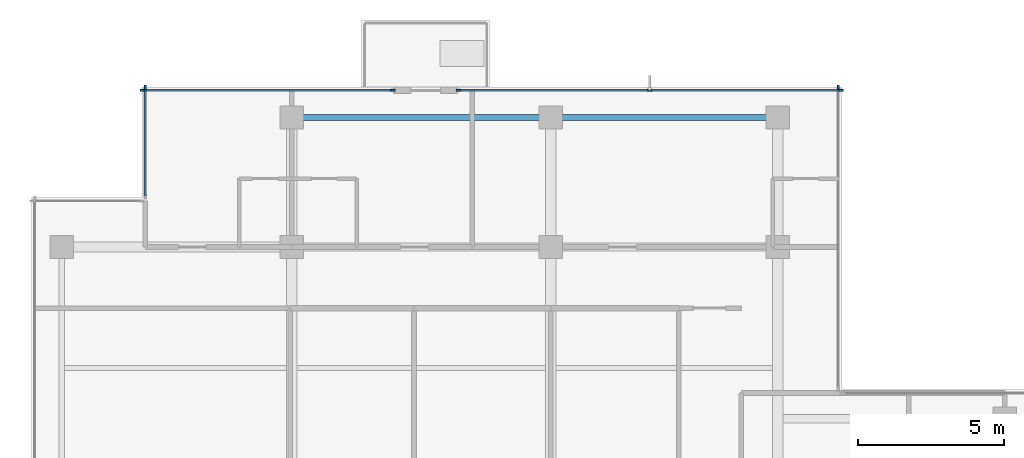
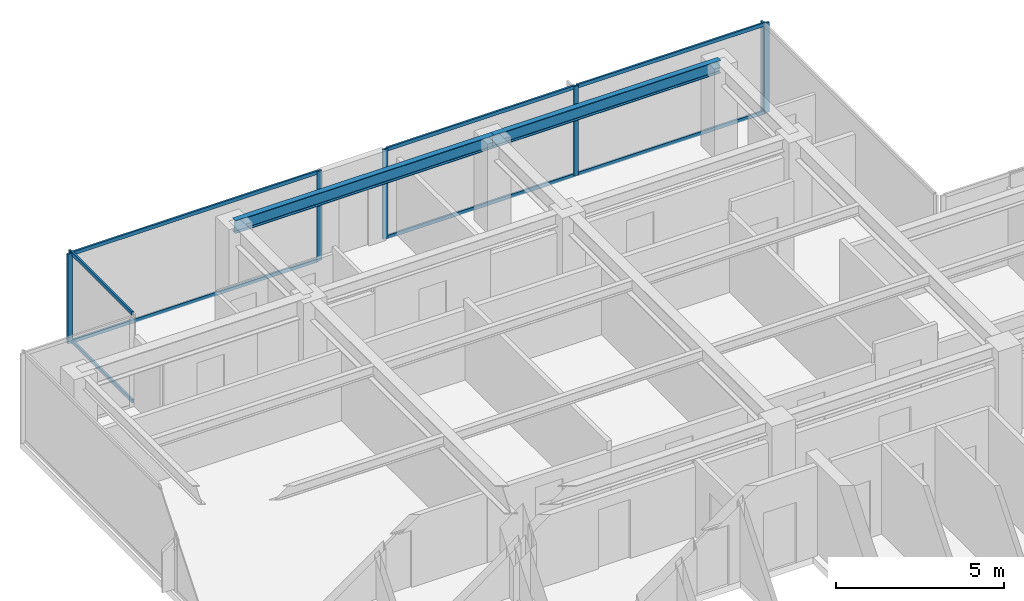
# One storey, part 4 of 11: 15 members, 2 beams, 4 elements without a shape of their own.
"""IFC4 building model written with IfcOpenShell, lengths in metres."""

from ifc_helpers import new_model, si_unit, direction, frame, origin, origin_2d, place, context, subcontext, project, spatial, rectangle, i_section, extrude, material, layer, layer_set, material_profile, profile_set, type_object, element, aggregate, save


model = new_model("IFC4")

# Units and contexts
model_context = context("Model", 3, precision=1e-05, world=origin(), true_north=direction((0.0, 1.0)))
body_context = subcontext(model_context, "Body", "Model", "MODEL_VIEW")
ifc_project = project(units=[si_unit("LENGTHUNIT", "METRE"), si_unit("AREAUNIT", "SQUARE_METRE"), si_unit("VOLUMEUNIT", "CUBIC_METRE"), si_unit("PLANEANGLEUNIT", "RADIAN"), si_unit("MASSUNIT", "GRAM", prefix="KILO")], contexts=[model_context])

# Site, building, storey
site_placement = place(None, origin())
site = spatial("IfcSite", under=ifc_project, at=site_placement, CompositionType="ELEMENT")
building_placement = place(site_placement, origin())
building = spatial("IfcBuilding", under=site, at=building_placement, Name="Qalmaran Belvedere Hotel", CompositionType="ELEMENT")
storey_placement = place(building_placement, frame((0.0, 0.0, 256.39990234375)))
storey = spatial("IfcBuildingStorey", under=building, at=storey_placement, Name="L66", CompositionType="ELEMENT", Elevation=256.39990234375)

# Beams
ifc_material_1 = material(Name="Steel S355JR", Category="steel")
ifc_material_profile_1 = material_profile(ifc_material_1, i_section(OverallWidth=0.19189453125, OverallDepth=0.462890625, WebThickness=0.010498046875, FlangeThickness=0.017578125, FilletRadius=0.01611328125, at=origin_2d()), Name="W460X89")
ifc_profile_set_1 = profile_set([ifc_material_profile_1], Name="Steel S355JR")
beam_type = type_object("IfcBeamType", Name="BM-SP2-W460X89", PredefinedType="SPANDREL", material=ifc_profile_set_1)
beam_1_placement = place(storey_placement, frame((20.300048828125, 37.449951171875, 3.028564453125), z_axis=(1.0, 0.0, 0.0), x_axis=(0.0, 1.0, 0.0)))
element("IfcBeam", 1, at=beam_1_placement, inside=storey, type_object=beam_type, Name="L66 Perimeter Spandrel 04", PredefinedType="SPANDREL", context=body_context, shape_type="SweptSolid", body=[
    extrude(i_section(OverallWidth=0.19189453125, OverallDepth=0.462890625, WebThickness=0.010498046875, FlangeThickness=0.017578125, FilletRadius=0.01611328125, at=origin_2d()), origin(), (0.0, 0.0, 1.0), 8.89990234375),
])
beam_2_placement = place(storey_placement, frame((29.199951171875, 37.449951171875, 3.028564453125), z_axis=(1.0, 0.0, 0.0), x_axis=(0.0, 1.0, 0.0)))
element("IfcBeam", 2, at=beam_2_placement, inside=storey, type_object=beam_type, Name="L66 Perimeter Spandrel 05", PredefinedType="SPANDREL", context=body_context, shape_type="SweptSolid", body=[
    extrude(i_section(OverallWidth=0.19189453125, OverallDepth=0.462890625, WebThickness=0.010498046875, FlangeThickness=0.017578125, FilletRadius=0.01611328125, at=origin_2d()), origin(), (0.0, 0.0, 1.0), 7.800048828125),
])

# Curtain wall, member
ifc_material_2 = material(Name="Anodised Bronze Aluminium", Category="aluminium")
ifc_layer = layer(ifc_material_2, 0.18505859375, Name="Anodised Bronze Aluminium")
ifc_layer_set = layer_set([ifc_layer], Name="Anodised Bronze Aluminium")
curtain_wall_type = type_object("IfcCurtainWallType", Name="CW6-TOWER-SKY", PredefinedType="NOTDEFINED", material=ifc_layer_set)
curtain_wall_1_placement = place(storey_placement, origin())
curtain_wall_1 = element("IfcCurtainWall", 3, at=curtain_wall_1_placement, inside=storey, type_object=curtain_wall_type, Name="L66 Curtain Wall CW6", PredefinedType="NOTDEFINED")
ifc_material_profile_2 = material_profile(ifc_material_2, rectangle(XDim=0.06494140625, YDim=0.1650390625, at=origin_2d()), Name="CWM65X165")
ifc_profile_set_2 = profile_set([ifc_material_profile_2], Name="Anodised Bronze Aluminium")
member_type_1 = type_object("IfcMemberType", Name="CWM-65X165", PredefinedType="MULLION", material=ifc_profile_set_2)
member_1_placement = place(storey_placement, frame((39.080078125, 38.467529296875, 0.0), z_axis=(0.0, 0.0, 1.0), x_axis=(-1.0, 0.0, 0.0)))
member_1 = element("IfcMember", 4, at=member_1_placement, type_object=member_type_1, Name="CW6 mullion 2", PredefinedType="MULLION", context=body_context, shape_type="SweptSolid", body=[
    extrude(rectangle(XDim=0.06494140625, YDim=0.1650390625, at=origin_2d()), origin(), (0.0, 0.0, 1.0), 3.260009765625),
])
aggregate(curtain_wall_1, [member_1])

# Curtain wall, members
curtain_wall_2_placement = place(storey_placement, origin())
curtain_wall_2 = element("IfcCurtainWall", 5, at=curtain_wall_2_placement, inside=storey, type_object=curtain_wall_type, Name="L66 Curtain Wall CW6", PredefinedType="NOTDEFINED")
member_2_placement = place(storey_placement, frame((23.767578125, 38.3798828125, 0.0), z_axis=(0.0, 0.0, 1.0), x_axis=(0.0, -1.0, 0.0)))
member_2 = element("IfcMember", 6, at=member_2_placement, type_object=member_type_1, Name="CW6 mullion 1", PredefinedType="MULLION", context=body_context, shape_type="SweptSolid", body=[
    extrude(rectangle(XDim=0.06494140625, YDim=0.1650390625, at=origin_2d()), origin(), (0.0, 0.0, 1.0), 3.260009765625),
])
member_3_placement = place(storey_placement, frame((15.1826171875, 38.3798828125, 0.0), z_axis=(0.0, 0.0, 1.0), x_axis=(0.0, -1.0, 0.0)))
member_3 = element("IfcMember", 7, at=member_3_placement, type_object=member_type_1, Name="CW6 mullion 2", PredefinedType="MULLION", context=body_context, shape_type="SweptSolid", body=[
    extrude(rectangle(XDim=0.06494140625, YDim=0.1650390625, at=origin_2d()), origin(), (0.0, 0.0, 1.0), 3.260009765625),
])

curtain_wall_3_placement = place(storey_placement, origin())
curtain_wall_3 = element("IfcCurtainWall", 8, at=curtain_wall_3_placement, inside=storey, type_object=curtain_wall_type, Name="L66 Curtain Wall CW6", PredefinedType="NOTDEFINED")
member_4_placement = place(storey_placement, frame((39.16748046875, 38.3798828125, 0.0), z_axis=(0.0, 0.0, 1.0), x_axis=(0.0, -1.0, 0.0)))
member_4 = element("IfcMember", 9, at=member_4_placement, type_object=member_type_1, Name="CW6 mullion 1", PredefinedType="MULLION", context=body_context, shape_type="SweptSolid", body=[
    extrude(rectangle(XDim=0.06494140625, YDim=0.1650390625, at=origin_2d()), origin(), (0.0, 0.0, 1.0), 3.260009765625),
])
member_5_placement = place(storey_placement, frame((32.60009765625, 38.3798828125, 0.0), z_axis=(0.0, 0.0, 1.0), x_axis=(0.0, -1.0, 0.0)))
member_5 = element("IfcMember", 10, at=member_5_placement, type_object=member_type_1, Name="CW6 mullion 2", PredefinedType="MULLION", context=body_context, shape_type="SweptSolid", body=[
    extrude(rectangle(XDim=0.06494140625, YDim=0.1650390625, at=origin_2d()), origin(), (0.0, 0.0, 1.0), 3.260009765625),
])
member_6_placement = place(storey_placement, frame((26.032470703125, 38.3798828125, 0.0), z_axis=(0.0, 0.0, 1.0), x_axis=(0.0, -1.0, 0.0)))
member_6 = element("IfcMember", 11, at=member_6_placement, type_object=member_type_1, Name="CW6 mullion 3", PredefinedType="MULLION", context=body_context, shape_type="SweptSolid", body=[
    extrude(rectangle(XDim=0.06494140625, YDim=0.1650390625, at=origin_2d()), origin(), (0.0, 0.0, 1.0), 3.260009765625),
])

# Curtain wall, member
curtain_wall_4_placement = place(storey_placement, origin())
curtain_wall_4 = element("IfcCurtainWall", 12, at=curtain_wall_4_placement, inside=storey, type_object=curtain_wall_type, Name="L66 Curtain Wall CW6", PredefinedType="NOTDEFINED")
member_7_placement = place(storey_placement, frame((15.27001953125, 38.467529296875, 0.0), z_axis=(0.0, 0.0, 1.0), x_axis=(1.0, 0.0, 0.0)))
member_7 = element("IfcMember", 13, at=member_7_placement, type_object=member_type_1, Name="CW6 mullion 1", PredefinedType="MULLION", context=body_context, shape_type="SweptSolid", body=[
    extrude(rectangle(XDim=0.06494140625, YDim=0.1650390625, at=origin_2d()), origin(), (0.0, 0.0, 1.0), 3.260009765625),
])

# Member
ifc_material_profile_3 = material_profile(ifc_material_2, rectangle(XDim=0.06494140625, YDim=0.1298828125, at=origin_2d()), Name="CWT65X130")
ifc_profile_set_3 = profile_set([ifc_material_profile_3], Name="Anodised Bronze Aluminium")
member_type_2 = type_object("IfcMemberType", Name="CWT-65X130", PredefinedType="USERDEFINED", material=ifc_profile_set_3)
member_8_placement = place(storey_placement, frame((23.735107421875, 38.3798828125, 0.03271484375), z_axis=(-1.0, 0.0, 0.0), x_axis=(0.0, -1.0, 0.0)))
member_8 = element("IfcMember", 14, at=member_8_placement, type_object=member_type_2, Name="CW6 transom 1.1", ObjectType="TRANSOM", PredefinedType="USERDEFINED", context=body_context, shape_type="SweptSolid", body=[
    extrude(rectangle(XDim=0.06494140625, YDim=0.1298828125, at=origin_2d()), origin(), (0.0, 0.0, 1.0), 8.52001953125),
])

member_9_placement = place(storey_placement, frame((23.735107421875, 38.3798828125, 3.2275390625), z_axis=(-1.0, 0.0, 0.0), x_axis=(0.0, -1.0, 0.0)))
member_9 = element("IfcMember", 15, at=member_9_placement, type_object=member_type_2, Name="CW6 transom 1.2", ObjectType="TRANSOM", PredefinedType="USERDEFINED", context=body_context, shape_type="SweptSolid", body=[
    extrude(rectangle(XDim=0.06494140625, YDim=0.1298828125, at=origin_2d()), origin(), (0.0, 0.0, 1.0), 8.52001953125),
])

aggregate(curtain_wall_2, [member_2, member_3, member_8, member_9])

member_10_placement = place(storey_placement, frame((39.135009765625, 38.3798828125, 0.03271484375), z_axis=(-1.0, 0.0, 0.0), x_axis=(0.0, -1.0, 0.0)))
member_10 = element("IfcMember", 16, at=member_10_placement, type_object=member_type_2, Name="CW6 transom 1.1", ObjectType="TRANSOM", PredefinedType="USERDEFINED", context=body_context, shape_type="SweptSolid", body=[
    extrude(rectangle(XDim=0.06494140625, YDim=0.1298828125, at=origin_2d()), origin(), (0.0, 0.0, 1.0), 6.50244140625),
])

member_11_placement = place(storey_placement, frame((39.135009765625, 38.3798828125, 3.2275390625), z_axis=(-1.0, 0.0, 0.0), x_axis=(0.0, -1.0, 0.0)))
member_11 = element("IfcMember", 17, at=member_11_placement, type_object=member_type_2, Name="CW6 transom 1.2", ObjectType="TRANSOM", PredefinedType="USERDEFINED", context=body_context, shape_type="SweptSolid", body=[
    extrude(rectangle(XDim=0.06494140625, YDim=0.1298828125, at=origin_2d()), origin(), (0.0, 0.0, 1.0), 6.50244140625),
])

member_12_placement = place(storey_placement, frame((32.5673828125, 38.3798828125, 0.03271484375), z_axis=(-1.0, 0.0, 0.0), x_axis=(0.0, -1.0, 0.0)))
member_12 = element("IfcMember", 18, at=member_12_placement, type_object=member_type_2, Name="CW6 transom 2.1", ObjectType="TRANSOM", PredefinedType="USERDEFINED", context=body_context, shape_type="SweptSolid", body=[
    extrude(rectangle(XDim=0.06494140625, YDim=0.1298828125, at=origin_2d()), origin(), (0.0, 0.0, 1.0), 6.50244140625),
])

member_13_placement = place(storey_placement, frame((32.5673828125, 38.3798828125, 3.2275390625), z_axis=(-1.0, 0.0, 0.0), x_axis=(0.0, -1.0, 0.0)))
member_13 = element("IfcMember", 19, at=member_13_placement, type_object=member_type_2, Name="CW6 transom 2.2", ObjectType="TRANSOM", PredefinedType="USERDEFINED", context=body_context, shape_type="SweptSolid", body=[
    extrude(rectangle(XDim=0.06494140625, YDim=0.1298828125, at=origin_2d()), origin(), (0.0, 0.0, 1.0), 6.50244140625),
])

aggregate(curtain_wall_3, [member_4, member_5, member_6, member_10, member_11, member_12, member_13])

member_14_placement = place(storey_placement, frame((15.27001953125, 38.43505859375, 0.03271484375), z_axis=(0.0, -1.0, 0.0), x_axis=(1.0, 0.0, 0.0)))
member_14 = element("IfcMember", 20, at=member_14_placement, type_object=member_type_2, Name="CW6 transom 1.1", ObjectType="TRANSOM", PredefinedType="USERDEFINED", context=body_context, shape_type="SweptSolid", body=[
    extrude(rectangle(XDim=0.06494140625, YDim=0.1298828125, at=origin_2d()), origin(), (0.0, 0.0, 1.0), 3.670166015625),
])

member_15_placement = place(storey_placement, frame((15.27001953125, 38.43505859375, 3.2275390625), z_axis=(0.0, -1.0, 0.0), x_axis=(1.0, 0.0, 0.0)))
member_15 = element("IfcMember", 21, at=member_15_placement, type_object=member_type_2, Name="CW6 transom 1.2", ObjectType="TRANSOM", PredefinedType="USERDEFINED", context=body_context, shape_type="SweptSolid", body=[
    extrude(rectangle(XDim=0.06494140625, YDim=0.1298828125, at=origin_2d()), origin(), (0.0, 0.0, 1.0), 3.670166015625),
])

aggregate(curtain_wall_4, [member_7, member_14, member_15])

save(model, "model.ifc")
